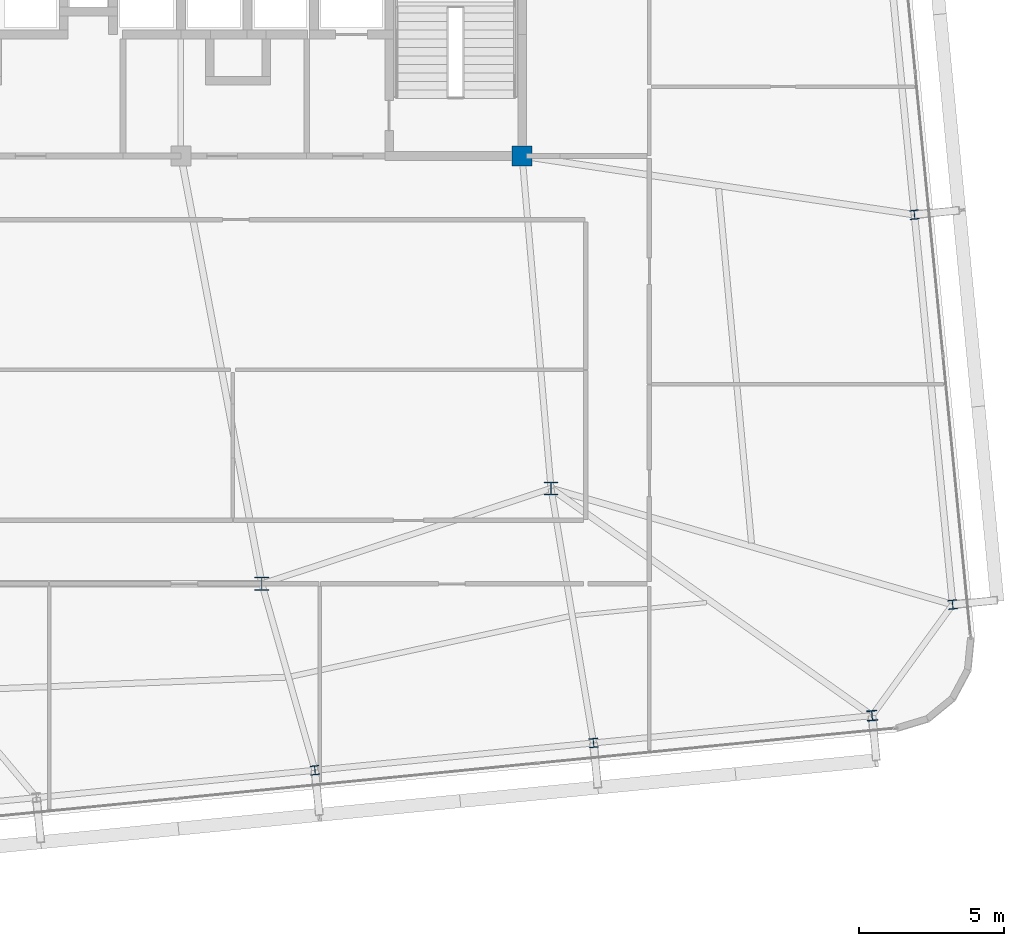
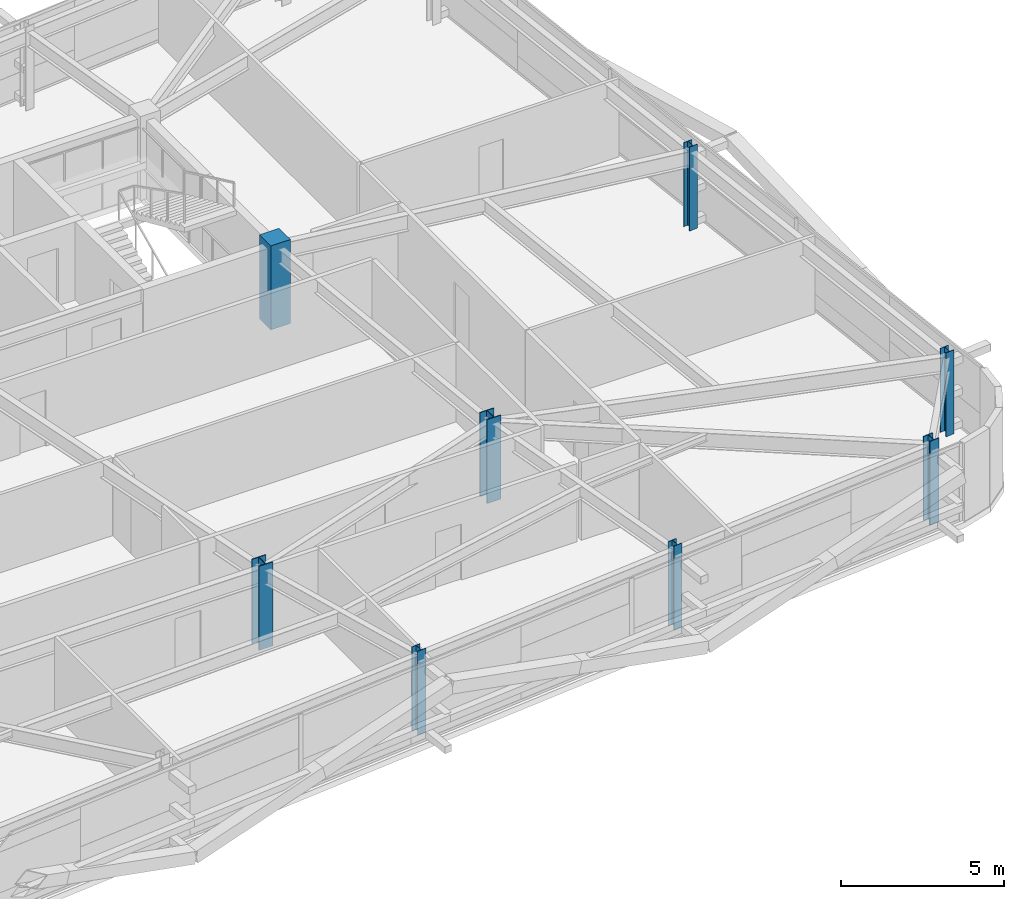
# One storey, part 2 of 47: 8 columns.
"""IFC4 building model written with IfcOpenShell, lengths in metres."""

from ifc_helpers import new_model, si_unit, direction, frame, origin, origin_2d, place, context, subcontext, project, spatial, rectangle, i_section, extrude, source, transform, mapped, material, material_profile, profile_set, type_object, element, save


model = new_model("IFC4")

# Units and contexts
model_context = context("Model", 3, precision=1e-05, world=origin(), true_north=direction((0.0, 1.0)))
body_context = subcontext(model_context, "Body", "Model", "MODEL_VIEW")
ifc_project = project(units=[si_unit("LENGTHUNIT", "METRE"), si_unit("AREAUNIT", "SQUARE_METRE"), si_unit("VOLUMEUNIT", "CUBIC_METRE"), si_unit("PLANEANGLEUNIT", "RADIAN"), si_unit("MASSUNIT", "GRAM", prefix="KILO")], contexts=[model_context])

# Site, building, storey
site_placement = place(None, origin())
site = spatial("IfcSite", under=ifc_project, at=site_placement, CompositionType="ELEMENT")
building_placement = place(site_placement, origin())
building = spatial("IfcBuilding", under=site, at=building_placement, Name="Taldren Reach Tower", CompositionType="ELEMENT")
storey_placement = place(building_placement, frame((0.0, 0.0, 87.14990234375)))
storey = spatial("IfcBuildingStorey", under=building, at=storey_placement, Name="L26", CompositionType="ELEMENT", Elevation=87.14990234375)

# Columns
ifc_material_1 = material(Name="Steel Gr 350 (350PLUS)", Category="steel")
ifc_material_profile_1 = material_profile(ifc_material_1, i_section(OverallWidth=0.5, OverallDepth=0.464111328125, WebThickness=0.02197265625, FlangeThickness=0.033935546875, at=origin_2d()), Name="500WC340")
ifc_profile_set_1 = profile_set([ifc_material_profile_1], Name="Steel Gr 350 (350PLUS)")
column_type_1 = type_object("IfcColumnType", Name="COL-WC500B", PredefinedType="COLUMN", material=ifc_profile_set_1)
shared_shape_1 = source(origin(), body_context, "Body", "SweptSolid", [
    extrude(i_section(OverallWidth=0.5, OverallDepth=0.464111328125, WebThickness=0.02197265625, FlangeThickness=0.033935546875, at=origin_2d()), origin(), (0.0, 0.0, 1.0), 3.150146484375),
])
for number, where, z_axis, x_axis, name in (
    (1, (42.0, 9.199951171875, 0.0), (0.0, 0.0, 1.0), (1.0, 0.0, 0.0), "Mega column MC-PJE L26"),
    (2, (52.0, 12.5, 0.0), (0.0, 0.0, 1.0), (1.0, 0.0, 0.0), "Mega column MC-SE L26"),
):
    element("IfcColumn", number, at=place(storey_placement, frame(where, z_axis=z_axis, x_axis=x_axis)), inside=storey, type_object=column_type_1, Name=name, PredefinedType="COLUMN", context=body_context, shape_type="MappedRepresentation", body=[
        mapped(shared_shape_1, transform((0.0, 0.0, 0.0), scale=1.0)),
    ])
ifc_material_2 = material(Name="Concrete S65 (65 MPa)", Category="concrete")
ifc_material_profile_2 = material_profile(ifc_material_2, rectangle(XDim=0.699951171875, YDim=0.699951171875, at=origin_2d()), Name="RC-700x700")
ifc_profile_set_2 = profile_set([ifc_material_profile_2], Name="Concrete S65 (65 MPa)")
column_type_2 = type_object("IfcColumnType", Name="COL-RC700", PredefinedType="COLUMN", material=ifc_profile_set_2)
shared_shape_2 = source(origin(), body_context, "Body", "SweptSolid", [
    extrude(rectangle(XDim=0.699951171875, YDim=0.699951171875, at=origin_2d()), origin(), (0.0, 0.0, 1.0), 3.150146484375),
])
column_1_placement = place(storey_placement, frame((51.0, 24.0, 0.0), z_axis=(0.0, 0.0, 1.0), x_axis=(1.0, 0.0, 0.0)))
element("IfcColumn", 3, at=column_1_placement, inside=storey, type_object=column_type_2, Name="Mega column MC-C4 L26", PredefinedType="COLUMN", context=body_context, shape_type="MappedRepresentation", body=[
    mapped(shared_shape_2, transform((0.0, 0.0, 0.0), scale=1.0)),
])
ifc_material_profile_3 = material_profile(ifc_material_1, i_section(OverallWidth=0.35009765625, OverallDepth=0.35595703125, WebThickness=0.01806640625, FlangeThickness=0.028076171875, at=origin_2d()), Name="350WC197")
ifc_profile_set_3 = profile_set([ifc_material_profile_3], Name="Steel Gr 350 (350PLUS)")
column_type_3 = type_object("IfcColumnType", Name="COL-WC350", PredefinedType="COLUMN", material=ifc_profile_set_3)
shared_shape_3 = source(origin(), body_context, "Body", "SweptSolid", [
    extrude(i_section(OverallWidth=0.35009765625, OverallDepth=0.35595703125, WebThickness=0.01806640625, FlangeThickness=0.028076171875, at=origin_2d()), origin(), (0.0, 0.0, 1.0), 3.150146484375),
])
column_2_placement = place(storey_placement, frame((63.103271484375, 4.64306640625, 0.0), z_axis=(0.0, 0.0, 1.0), x_axis=(0.995227399982, 0.097582899759, 0.0)))
element("IfcColumn", 4, at=column_2_placement, inside=storey, type_object=column_type_3, Name="Block B2 perimeter column S6 L26", PredefinedType="COLUMN", context=body_context, shape_type="MappedRepresentation", body=[
    mapped(shared_shape_3, transform((0.0, 0.0, 0.0), scale=1.0)),
])
ifc_material_profile_4 = material_profile(ifc_material_1, i_section(OverallWidth=0.306884765625, OverallDepth=0.31494140625, WebThickness=0.011962890625, FlangeThickness=0.018798828125, at=origin_2d()), Name="310UC118")
ifc_profile_set_4 = profile_set([ifc_material_profile_4], Name="Steel Gr 350 (350PLUS)")
column_type_4 = type_object("IfcColumnType", Name="COL-UC310B", PredefinedType="COLUMN", material=ifc_profile_set_4)
shared_shape_4 = source(origin(), body_context, "Body", "SweptSolid", [
    extrude(i_section(OverallWidth=0.306884765625, OverallDepth=0.31494140625, WebThickness=0.011962890625, FlangeThickness=0.018798828125, at=origin_2d()), origin(), (0.0, 0.0, 1.0), 3.150146484375),
])
for number, where, z_axis, x_axis, name in (
    (5, (43.83544921875, 2.75390625, 0.0), (0.0, 0.0, 1.0), (0.995227399982, 0.097582899759, 0.0), "Block B2 perimeter column S4 L26"),
    (6, (53.469482421875, 3.698486328125, 0.0), (0.0, 0.0, 1.0), (0.995227399982, 0.097582899759, 0.0), "Block B2 perimeter column S5 L26"),
    (7, (65.8916015625, 8.483642578125, 0.0), (0.0, 0.0, 1.0), (0.995227399982, 0.097582899759, 0.0), "Block B2 perimeter column E1 L26"),
    (8, (64.569580078125, 21.968994140625, 0.0), (0.0, 0.0, 1.0), (0.995227399982, 0.097582899759, 0.0), "Block B2 perimeter column E2 L26"),
):
    element("IfcColumn", number, at=place(storey_placement, frame(where, z_axis=z_axis, x_axis=x_axis)), inside=storey, type_object=column_type_4, Name=name, PredefinedType="COLUMN", context=body_context, shape_type="MappedRepresentation", body=[
        mapped(shared_shape_4, transform((0.0, 0.0, 0.0), scale=1.0)),
    ])

save(model, "model.ifc")
